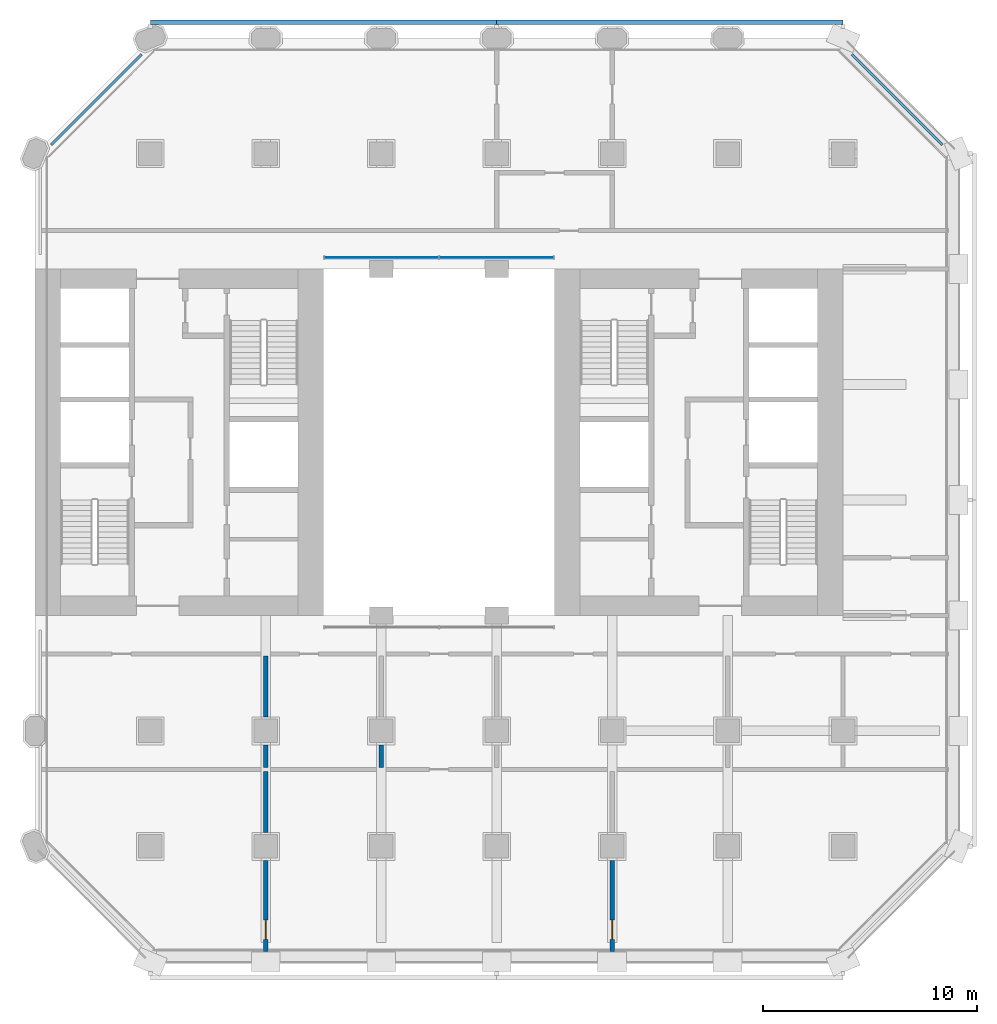
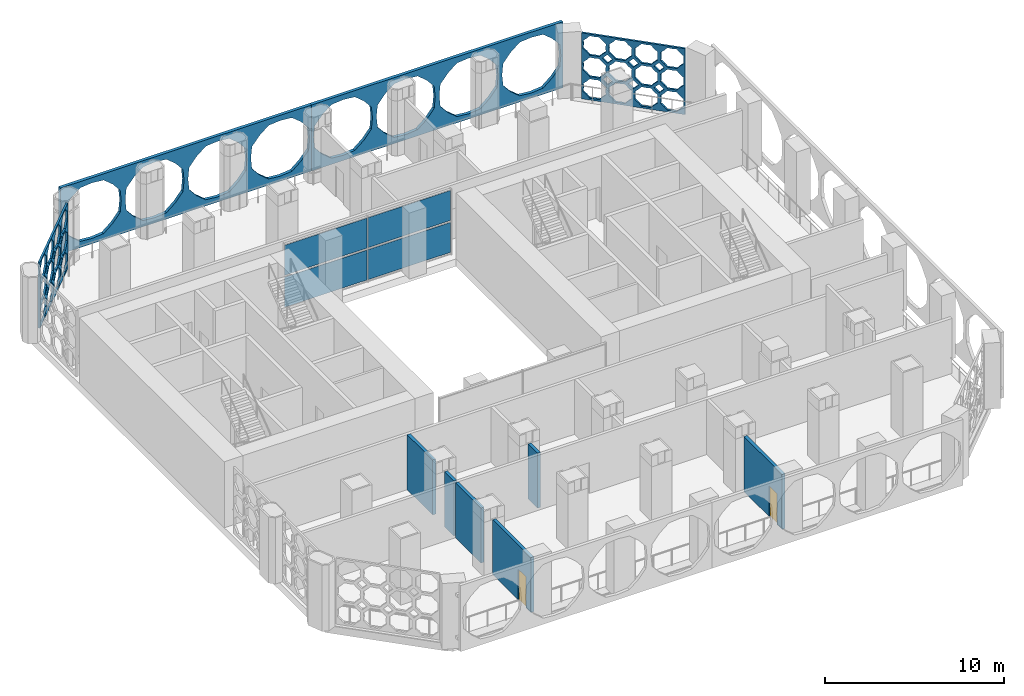
# One storey, part 7 of 14: 8 plates, 6 walls, 2 doors, 2 openings, 1 element without a shape of its own.
"""IFC4 building model written with IfcOpenShell, lengths in metres."""

from ifc_helpers import new_model, si_unit, direction, frame, frame_2d, origin, origin_2d, place, context, subcontext, project, spatial, polyline, rectangle, outline, extrude, material, layer, layer_set, type_object, element, fill, aggregate, save


model = new_model("IFC4")

# Units and contexts
model_context = context("Model", 3, precision=1e-05, world=origin(), true_north=direction((0.0, 1.0)))
body_context = subcontext(model_context, "Body", "Model", "MODEL_VIEW")
ifc_project = project(units=[si_unit("LENGTHUNIT", "METRE"), si_unit("AREAUNIT", "SQUARE_METRE"), si_unit("VOLUMEUNIT", "CUBIC_METRE"), si_unit("PLANEANGLEUNIT", "RADIAN"), si_unit("MASSUNIT", "GRAM", prefix="KILO")], contexts=[model_context])

# Site, building, storey
site_placement = place(None, origin())
site = spatial("IfcSite", under=ifc_project, at=site_placement, CompositionType="ELEMENT")
building_placement = place(site_placement, origin())
building = spatial("IfcBuilding", under=site, at=building_placement, Name="Tabaq Tower and Sports Hall", CompositionType="ELEMENT")
storey_placement = place(building_placement, frame((0.0, 0.0, 60.199951171875)))
storey = spatial("IfcBuildingStorey", under=building, at=storey_placement, Name="L13", CompositionType="ELEMENT", Elevation=60.199951171875)

# Curtain wall, plates
ifc_material_1 = material(Name="Aluminium alloy 6063-T6 framed glazing", Category="aluminium")
curtain_wall_type = type_object("IfcCurtainWallType", Name="CW1 curtain wall", PredefinedType="USERDEFINED", material=ifc_material_1)
curtain_wall_placement = place(storey_placement, origin())
curtain_wall = element("IfcCurtainWall", 1, at=curtain_wall_placement, inside=storey, type_object=curtain_wall_type, Name="Atrium glazing L13 N", ObjectType="ATRIUM ENCLOSURE", PredefinedType="USERDEFINED")
ifc_material_2 = material(Name="Clear low-emissivity glass 28 mm", Category="glass")
ifc_layer_1 = layer(ifc_material_2, 0.028076171875)
ifc_layer_set_1 = layer_set([ifc_layer_1], Name="CW1 glass panel 28")
plate_type_1 = type_object("IfcPlateType", Name="CW1 glass panel 28", PredefinedType="CURTAIN_PANEL", material=ifc_layer_set_1)
plate_1_placement = place(storey_placement, frame((21.614990234375, 32.949951171875, 0.14013671875), z_axis=(0.0, 0.0, 1.0), x_axis=(1.0, 0.0, 0.0)))
plate_1 = element("IfcPlate", 2, at=plate_1_placement, type_object=plate_type_1, Name="CW1 panel 1.1", PredefinedType="CURTAIN_PANEL", context=body_context, shape_type="SweptSolid", body=[
    extrude(rectangle(XDim=5.31005859375, YDim=0.028076171875, at=origin_2d()), origin(), (0.0, 0.0, 1.0), 2.0400390625),
])
plate_2_placement = place(storey_placement, frame((21.614990234375, 32.949951171875, 2.320068359375), z_axis=(0.0, 0.0, 1.0), x_axis=(1.0, 0.0, 0.0)))
plate_2 = element("IfcPlate", 3, at=plate_2_placement, type_object=plate_type_1, Name="CW1 panel 1.2", PredefinedType="CURTAIN_PANEL", context=body_context, shape_type="SweptSolid", body=[
    extrude(rectangle(XDim=5.31005859375, YDim=0.028076171875, at=origin_2d()), origin(), (0.0, 0.0, 1.0), 2.0400390625),
])
plate_3_placement = place(storey_placement, frame((26.985107421875, 32.949951171875, 0.14013671875), z_axis=(0.0, 0.0, 1.0), x_axis=(1.0, 0.0, 0.0)))
plate_3 = element("IfcPlate", 4, at=plate_3_placement, type_object=plate_type_1, Name="CW1 panel 2.1", PredefinedType="CURTAIN_PANEL", context=body_context, shape_type="SweptSolid", body=[
    extrude(rectangle(XDim=5.31005859375, YDim=0.028076171875, at=origin_2d()), origin(), (0.0, 0.0, 1.0), 2.0400390625),
])
plate_4_placement = place(storey_placement, frame((26.985107421875, 32.949951171875, 2.320068359375), z_axis=(0.0, 0.0, 1.0), x_axis=(1.0, 0.0, 0.0)))
plate_4 = element("IfcPlate", 5, at=plate_4_placement, type_object=plate_type_1, Name="CW1 panel 2.2", PredefinedType="CURTAIN_PANEL", context=body_context, shape_type="SweptSolid", body=[
    extrude(rectangle(XDim=5.31005859375, YDim=0.028076171875, at=origin_2d()), origin(), (0.0, 0.0, 1.0), 2.0400390625),
])
aggregate(curtain_wall, [plate_1, plate_2, plate_3, plate_4])

# Plates
ifc_material_3 = material(Name="White precast concrete C60/75 pierced screen", Category="concrete")
ifc_layer_2 = layer(ifc_material_3, 0.199951171875)
ifc_layer_set_2 = layer_set([ifc_layer_2], Name="White precast concrete C60/75 girih screen 200")
plate_type_2 = type_object("IfcPlateType", Name="White precast concrete C60/75 girih screen 200", PredefinedType="USERDEFINED", material=ifc_layer_set_2)
plate_5_placement = place(storey_placement, frame((43.199951171875, 43.949951171875, 0.0), z_axis=(0.0, 0.0, 1.0), x_axis=(-1.0, 0.0, 0.0)))
element("IfcPlate", 6, at=plate_5_placement, inside=storey, type_object=plate_type_2, Name="Girih screen L13 N", ObjectType="SCREEN", PredefinedType="USERDEFINED", context=body_context, shape_type="SweptSolid", body=[
    extrude(outline(polyline([(0.0, 0.0), (16.199951171875, 0.0), (16.199951171875, 4.5), (0.0, 4.5), (0.0, 0.0)]), holes=[polyline([(3.85107421875, 3.00634765625), (3.36669921875, 3.591552734375), (2.78125, 4.075927734375), (2.02490234375, 4.1474609375), (1.2685546875, 4.075927734375), (0.683349609375, 3.591552734375), (0.198974609375, 3.00634765625), (0.127685546875, 2.25), (0.198974609375, 1.49365234375), (0.683349609375, 0.908447265625), (1.2685546875, 0.424072265625), (2.02490234375, 0.352783203125), (2.78125, 0.424072265625), (3.36669921875, 0.908447265625), (3.85107421875, 1.49365234375), (3.92236328125, 2.25), (3.85107421875, 3.00634765625)]), polyline([(7.90087890625, 3.00634765625), (7.41650390625, 3.591552734375), (6.831298828125, 4.075927734375), (6.074951171875, 4.1474609375), (5.318603515625, 4.075927734375), (4.7333984375, 3.591552734375), (4.2490234375, 3.00634765625), (4.177734375, 2.25), (4.2490234375, 1.49365234375), (4.7333984375, 0.908447265625), (5.318603515625, 0.424072265625), (6.074951171875, 0.352783203125), (6.831298828125, 0.424072265625), (7.41650390625, 0.908447265625), (7.90087890625, 1.49365234375), (7.972412109375, 2.25), (7.90087890625, 3.00634765625)]), polyline([(11.950927734375, 3.00634765625), (11.466552734375, 3.591552734375), (10.88134765625, 4.075927734375), (10.125, 4.1474609375), (9.36865234375, 4.075927734375), (8.783447265625, 3.591552734375), (8.299072265625, 3.00634765625), (8.2275390625, 2.25), (8.299072265625, 1.49365234375), (8.783447265625, 0.908447265625), (9.36865234375, 0.424072265625), (10.125, 0.352783203125), (10.88134765625, 0.424072265625), (11.466552734375, 0.908447265625), (11.950927734375, 1.49365234375), (12.0224609375, 2.25), (11.950927734375, 3.00634765625)]), polyline([(16.0009765625, 3.00634765625), (15.5166015625, 3.591552734375), (14.931396484375, 4.075927734375), (14.175048828125, 4.1474609375), (13.418701171875, 4.075927734375), (12.83349609375, 3.591552734375), (12.34912109375, 3.00634765625), (12.277587890625, 2.25), (12.34912109375, 1.49365234375), (12.83349609375, 0.908447265625), (13.418701171875, 0.424072265625), (14.175048828125, 0.352783203125), (14.931396484375, 0.424072265625), (15.5166015625, 0.908447265625), (16.0009765625, 1.49365234375), (16.072265625, 2.25), (16.0009765625, 3.00634765625)])]), frame((0.0, 0.10009765625, 0.0), z_axis=(0.0, -1.0, 0.0), x_axis=(1.0, 0.0, 0.0)), (0.0, 0.0, 1.0), 0.199951171875),
])
plate_6_placement = place(storey_placement, frame((27.0, 43.949951171875, 0.0), z_axis=(0.0, 0.0, 1.0), x_axis=(-1.0, 0.0, 0.0)))
element("IfcPlate", 7, at=plate_6_placement, inside=storey, type_object=plate_type_2, Name="Girih screen L13 N", ObjectType="SCREEN", PredefinedType="USERDEFINED", context=body_context, shape_type="SweptSolid", body=[
    extrude(outline(polyline([(0.0, 0.0), (16.199951171875, 0.0), (16.199951171875, 4.5), (0.0, 4.5), (0.0, 0.0)]), holes=[polyline([(3.85107421875, 3.00634765625), (3.36669921875, 3.591552734375), (2.78125, 4.075927734375), (2.02490234375, 4.1474609375), (1.2685546875, 4.075927734375), (0.683349609375, 3.591552734375), (0.198974609375, 3.00634765625), (0.127685546875, 2.25), (0.198974609375, 1.49365234375), (0.683349609375, 0.908447265625), (1.2685546875, 0.424072265625), (2.02490234375, 0.352783203125), (2.78125, 0.424072265625), (3.36669921875, 0.908447265625), (3.85107421875, 1.49365234375), (3.92236328125, 2.25), (3.85107421875, 3.00634765625)]), polyline([(7.90087890625, 3.00634765625), (7.41650390625, 3.591552734375), (6.831298828125, 4.075927734375), (6.074951171875, 4.1474609375), (5.318603515625, 4.075927734375), (4.7333984375, 3.591552734375), (4.2490234375, 3.00634765625), (4.177734375, 2.25), (4.2490234375, 1.49365234375), (4.7333984375, 0.908447265625), (5.318603515625, 0.424072265625), (6.074951171875, 0.352783203125), (6.831298828125, 0.424072265625), (7.41650390625, 0.908447265625), (7.90087890625, 1.49365234375), (7.972412109375, 2.25), (7.90087890625, 3.00634765625)]), polyline([(11.950927734375, 3.00634765625), (11.466552734375, 3.591552734375), (10.88134765625, 4.075927734375), (10.125, 4.1474609375), (9.36865234375, 4.075927734375), (8.783447265625, 3.591552734375), (8.299072265625, 3.00634765625), (8.2275390625, 2.25), (8.299072265625, 1.49365234375), (8.783447265625, 0.908447265625), (9.36865234375, 0.424072265625), (10.125, 0.352783203125), (10.88134765625, 0.424072265625), (11.466552734375, 0.908447265625), (11.950927734375, 1.49365234375), (12.0224609375, 2.25), (11.950927734375, 3.00634765625)]), polyline([(16.0009765625, 3.00634765625), (15.5166015625, 3.591552734375), (14.931396484375, 4.075927734375), (14.175048828125, 4.1474609375), (13.418701171875, 4.075927734375), (12.83349609375, 3.591552734375), (12.34912109375, 3.00634765625), (12.277587890625, 2.25), (12.34912109375, 1.49365234375), (12.83349609375, 0.908447265625), (13.418701171875, 0.424072265625), (14.175048828125, 0.352783203125), (14.931396484375, 0.424072265625), (15.5166015625, 0.908447265625), (16.0009765625, 1.49365234375), (16.072265625, 2.25), (16.0009765625, 3.00634765625)])]), frame((0.0, 0.10009765625, 0.0), z_axis=(0.0, -1.0, 0.0), x_axis=(1.0, 0.0, 0.0)), (0.0, 0.0, 1.0), 0.199951171875),
])
ifc_material_4 = material(Name="White precast concrete C60/75 pierced screen", Category="concrete")
ifc_layer_3 = layer(ifc_material_4, 0.1201171875)
ifc_layer_set_3 = layer_set([ifc_layer_3], Name="White precast concrete C60/75 screen 120")
plate_type_3 = type_object("IfcPlateType", Name="White precast concrete C60/75 screen 120", PredefinedType="USERDEFINED", material=ifc_layer_set_3)
plate_7_placement = place(storey_placement, frame((47.83984375, 38.20654296875, 0.0), z_axis=(0.0, 0.0, 1.0), x_axis=(-0.707086390836, 0.707127170949, 0.0)))
element("IfcPlate", 8, at=plate_7_placement, inside=storey, type_object=plate_type_3, Name="Pierced screen L13 NE", ObjectType="SCREEN", PredefinedType="USERDEFINED", context=body_context, shape_type="SweptSolid", body=[
    extrude(outline(polyline([(0.0, 0.0), (5.98681640625, 0.0), (5.98681640625, 4.5), (0.0, 4.5), (0.0, 0.0)]), holes=[polyline([(1.40966796875, 1.057373046875), (1.203857421875, 1.23876953125), (1.022216796875, 1.444580078125), (0.748291015625, 1.427490234375), (0.474365234375, 1.444580078125), (0.29296875, 1.23876953125), (0.087158203125, 1.057373046875), (0.104248046875, 0.783447265625), (0.087158203125, 0.509521484375), (0.29296875, 0.327880859375), (0.474365234375, 0.1220703125), (0.748291015625, 0.13916015625), (1.022216796875, 0.1220703125), (1.203857421875, 0.327880859375), (1.40966796875, 0.509521484375), (1.392578125, 0.783447265625), (1.40966796875, 1.057373046875)]), polyline([(1.40966796875, 2.52392578125), (1.203857421875, 2.70556640625), (1.022216796875, 2.911376953125), (0.748291015625, 2.894287109375), (0.474365234375, 2.911376953125), (0.29296875, 2.70556640625), (0.087158203125, 2.52392578125), (0.104248046875, 2.25), (0.087158203125, 1.97607421875), (0.29296875, 1.794677734375), (0.474365234375, 1.5888671875), (0.748291015625, 1.60595703125), (1.022216796875, 1.5888671875), (1.203857421875, 1.794677734375), (1.40966796875, 1.97607421875), (1.392578125, 2.25), (1.40966796875, 2.52392578125)]), polyline([(1.40966796875, 3.99072265625), (1.203857421875, 4.172119140625), (1.022216796875, 4.3779296875), (0.748291015625, 4.36083984375), (0.474365234375, 4.3779296875), (0.29296875, 4.172119140625), (0.087158203125, 3.99072265625), (0.104248046875, 3.716796875), (0.087158203125, 3.44287109375), (0.29296875, 3.26123046875), (0.474365234375, 3.055419921875), (0.748291015625, 3.072509765625), (1.022216796875, 3.055419921875), (1.203857421875, 3.26123046875), (1.40966796875, 3.44287109375), (1.392578125, 3.716796875), (1.40966796875, 3.99072265625)]), polyline([(2.90625, 1.057373046875), (2.700439453125, 1.23876953125), (2.51904296875, 1.444580078125), (2.2451171875, 1.427490234375), (1.97119140625, 1.444580078125), (1.78955078125, 1.23876953125), (1.583740234375, 1.057373046875), (1.600830078125, 0.783447265625), (1.583740234375, 0.509521484375), (1.78955078125, 0.327880859375), (1.97119140625, 0.1220703125), (2.2451171875, 0.13916015625), (2.51904296875, 0.1220703125), (2.700439453125, 0.327880859375), (2.90625, 0.509521484375), (2.88916015625, 0.783447265625), (2.90625, 1.057373046875)]), polyline([(2.90625, 2.52392578125), (2.700439453125, 2.70556640625), (2.51904296875, 2.911376953125), (2.2451171875, 2.894287109375), (1.97119140625, 2.911376953125), (1.78955078125, 2.70556640625), (1.583740234375, 2.52392578125), (1.600830078125, 2.25), (1.583740234375, 1.97607421875), (1.78955078125, 1.794677734375), (1.97119140625, 1.5888671875), (2.2451171875, 1.60595703125), (2.51904296875, 1.5888671875), (2.700439453125, 1.794677734375), (2.90625, 1.97607421875), (2.88916015625, 2.25), (2.90625, 2.52392578125)]), polyline([(2.90625, 3.99072265625), (2.700439453125, 4.172119140625), (2.51904296875, 4.3779296875), (2.2451171875, 4.36083984375), (1.97119140625, 4.3779296875), (1.78955078125, 4.172119140625), (1.583740234375, 3.99072265625), (1.600830078125, 3.716796875), (1.583740234375, 3.44287109375), (1.78955078125, 3.26123046875), (1.97119140625, 3.055419921875), (2.2451171875, 3.072509765625), (2.51904296875, 3.055419921875), (2.700439453125, 3.26123046875), (2.90625, 3.44287109375), (2.88916015625, 3.716796875), (2.90625, 3.99072265625)]), polyline([(4.403076171875, 1.057373046875), (4.197265625, 1.23876953125), (4.015625, 1.444580078125), (3.74169921875, 1.427490234375), (3.4677734375, 1.444580078125), (3.2861328125, 1.23876953125), (3.08056640625, 1.057373046875), (3.09765625, 0.783447265625), (3.08056640625, 0.509521484375), (3.2861328125, 0.327880859375), (3.4677734375, 0.1220703125), (3.74169921875, 0.13916015625), (4.015625, 0.1220703125), (4.197265625, 0.327880859375), (4.403076171875, 0.509521484375), (4.385986328125, 0.783447265625), (4.403076171875, 1.057373046875)]), polyline([(4.403076171875, 2.52392578125), (4.197265625, 2.70556640625), (4.015625, 2.911376953125), (3.74169921875, 2.894287109375), (3.4677734375, 2.911376953125), (3.2861328125, 2.70556640625), (3.08056640625, 2.52392578125), (3.09765625, 2.25), (3.08056640625, 1.97607421875), (3.2861328125, 1.794677734375), (3.4677734375, 1.5888671875), (3.74169921875, 1.60595703125), (4.015625, 1.5888671875), (4.197265625, 1.794677734375), (4.403076171875, 1.97607421875), (4.385986328125, 2.25), (4.403076171875, 2.52392578125)]), polyline([(4.403076171875, 3.99072265625), (4.197265625, 4.172119140625), (4.015625, 4.3779296875), (3.74169921875, 4.36083984375), (3.4677734375, 4.3779296875), (3.2861328125, 4.172119140625), (3.08056640625, 3.99072265625), (3.09765625, 3.716796875), (3.08056640625, 3.44287109375), (3.2861328125, 3.26123046875), (3.4677734375, 3.055419921875), (3.74169921875, 3.072509765625), (4.015625, 3.055419921875), (4.197265625, 3.26123046875), (4.403076171875, 3.44287109375), (4.385986328125, 3.716796875), (4.403076171875, 3.99072265625)]), polyline([(5.899658203125, 1.057373046875), (5.69384765625, 1.23876953125), (5.51220703125, 1.444580078125), (5.238525390625, 1.427490234375), (4.964599609375, 1.444580078125), (4.782958984375, 1.23876953125), (4.5771484375, 1.057373046875), (4.59423828125, 0.783447265625), (4.5771484375, 0.509521484375), (4.782958984375, 0.327880859375), (4.964599609375, 0.1220703125), (5.238525390625, 0.13916015625), (5.51220703125, 0.1220703125), (5.69384765625, 0.327880859375), (5.899658203125, 0.509521484375), (5.882568359375, 0.783447265625), (5.899658203125, 1.057373046875)]), polyline([(5.899658203125, 2.52392578125), (5.69384765625, 2.70556640625), (5.51220703125, 2.911376953125), (5.238525390625, 2.894287109375), (4.964599609375, 2.911376953125), (4.782958984375, 2.70556640625), (4.5771484375, 2.52392578125), (4.59423828125, 2.25), (4.5771484375, 1.97607421875), (4.782958984375, 1.794677734375), (4.964599609375, 1.5888671875), (5.238525390625, 1.60595703125), (5.51220703125, 1.5888671875), (5.69384765625, 1.794677734375), (5.899658203125, 1.97607421875), (5.882568359375, 2.25), (5.899658203125, 2.52392578125)]), polyline([(5.899658203125, 3.99072265625), (5.69384765625, 4.172119140625), (5.51220703125, 4.3779296875), (5.238525390625, 4.36083984375), (4.964599609375, 4.3779296875), (4.782958984375, 4.172119140625), (4.5771484375, 3.99072265625), (4.59423828125, 3.716796875), (4.5771484375, 3.44287109375), (4.782958984375, 3.26123046875), (4.964599609375, 3.055419921875), (5.238525390625, 3.072509765625), (5.51220703125, 3.055419921875), (5.69384765625, 3.26123046875), (5.899658203125, 3.44287109375), (5.882568359375, 3.716796875), (5.899658203125, 3.99072265625)]), polyline([(1.7900390625, 1.5166015625), (1.49658203125, 1.81005859375), (1.203369140625, 1.5166015625), (1.49658203125, 1.223388671875), (1.7900390625, 1.5166015625)]), polyline([(1.7900390625, 2.9833984375), (1.49658203125, 3.276611328125), (1.203369140625, 2.9833984375), (1.49658203125, 2.68994140625), (1.7900390625, 2.9833984375)]), polyline([(3.28662109375, 1.5166015625), (2.993408203125, 1.81005859375), (2.699951171875, 1.5166015625), (2.993408203125, 1.223388671875), (3.28662109375, 1.5166015625)]), polyline([(3.28662109375, 2.9833984375), (2.993408203125, 3.276611328125), (2.699951171875, 2.9833984375), (2.993408203125, 2.68994140625), (3.28662109375, 2.9833984375)]), polyline([(4.783447265625, 1.5166015625), (4.489990234375, 1.81005859375), (4.19677734375, 1.5166015625), (4.489990234375, 1.223388671875), (4.783447265625, 1.5166015625)]), polyline([(4.783447265625, 2.9833984375), (4.489990234375, 3.276611328125), (4.19677734375, 2.9833984375), (4.489990234375, 2.68994140625), (4.783447265625, 2.9833984375)])]), frame((0.0, 0.06005859375, 0.0), z_axis=(0.0, -1.0, 0.0), x_axis=(1.0, 0.0, 0.0)), (0.0, 0.0, 1.0), 0.1201171875),
])
plate_8_placement = place(storey_placement, frame((10.393310546875, 42.43994140625, 0.0), z_axis=(0.0, 0.0, 1.0), x_axis=(-0.707086390836, -0.707127170949, 0.0)))
element("IfcPlate", 9, at=plate_8_placement, inside=storey, type_object=plate_type_3, Name="Pierced screen L13 NW", ObjectType="SCREEN", PredefinedType="USERDEFINED", context=body_context, shape_type="SweptSolid", body=[
    extrude(outline(polyline([(0.0, 0.0), (5.98681640625, 0.0), (5.98681640625, 4.5), (0.0, 4.5), (0.0, 0.0)]), holes=[polyline([(1.40966796875, 1.057373046875), (1.203857421875, 1.23876953125), (1.022216796875, 1.444580078125), (0.748291015625, 1.427490234375), (0.474365234375, 1.444580078125), (0.29296875, 1.23876953125), (0.087158203125, 1.057373046875), (0.104248046875, 0.783447265625), (0.087158203125, 0.509521484375), (0.29296875, 0.327880859375), (0.474365234375, 0.1220703125), (0.748291015625, 0.13916015625), (1.022216796875, 0.1220703125), (1.203857421875, 0.327880859375), (1.40966796875, 0.509521484375), (1.392578125, 0.783447265625), (1.40966796875, 1.057373046875)]), polyline([(1.40966796875, 2.52392578125), (1.203857421875, 2.70556640625), (1.022216796875, 2.911376953125), (0.748291015625, 2.894287109375), (0.474365234375, 2.911376953125), (0.29296875, 2.70556640625), (0.087158203125, 2.52392578125), (0.104248046875, 2.25), (0.087158203125, 1.97607421875), (0.29296875, 1.794677734375), (0.474365234375, 1.5888671875), (0.748291015625, 1.60595703125), (1.022216796875, 1.5888671875), (1.203857421875, 1.794677734375), (1.40966796875, 1.97607421875), (1.392578125, 2.25), (1.40966796875, 2.52392578125)]), polyline([(1.40966796875, 3.99072265625), (1.203857421875, 4.172119140625), (1.022216796875, 4.3779296875), (0.748291015625, 4.36083984375), (0.474365234375, 4.3779296875), (0.29296875, 4.172119140625), (0.087158203125, 3.99072265625), (0.104248046875, 3.716796875), (0.087158203125, 3.44287109375), (0.29296875, 3.26123046875), (0.474365234375, 3.055419921875), (0.748291015625, 3.072509765625), (1.022216796875, 3.055419921875), (1.203857421875, 3.26123046875), (1.40966796875, 3.44287109375), (1.392578125, 3.716796875), (1.40966796875, 3.99072265625)]), polyline([(2.90625, 1.057373046875), (2.700439453125, 1.23876953125), (2.51904296875, 1.444580078125), (2.2451171875, 1.427490234375), (1.97119140625, 1.444580078125), (1.78955078125, 1.23876953125), (1.583740234375, 1.057373046875), (1.600830078125, 0.783447265625), (1.583740234375, 0.509521484375), (1.78955078125, 0.327880859375), (1.97119140625, 0.1220703125), (2.2451171875, 0.13916015625), (2.51904296875, 0.1220703125), (2.700439453125, 0.327880859375), (2.90625, 0.509521484375), (2.88916015625, 0.783447265625), (2.90625, 1.057373046875)]), polyline([(2.90625, 2.52392578125), (2.700439453125, 2.70556640625), (2.51904296875, 2.911376953125), (2.2451171875, 2.894287109375), (1.97119140625, 2.911376953125), (1.78955078125, 2.70556640625), (1.583740234375, 2.52392578125), (1.600830078125, 2.25), (1.583740234375, 1.97607421875), (1.78955078125, 1.794677734375), (1.97119140625, 1.5888671875), (2.2451171875, 1.60595703125), (2.51904296875, 1.5888671875), (2.700439453125, 1.794677734375), (2.90625, 1.97607421875), (2.88916015625, 2.25), (2.90625, 2.52392578125)]), polyline([(2.90625, 3.99072265625), (2.700439453125, 4.172119140625), (2.51904296875, 4.3779296875), (2.2451171875, 4.36083984375), (1.97119140625, 4.3779296875), (1.78955078125, 4.172119140625), (1.583740234375, 3.99072265625), (1.600830078125, 3.716796875), (1.583740234375, 3.44287109375), (1.78955078125, 3.26123046875), (1.97119140625, 3.055419921875), (2.2451171875, 3.072509765625), (2.51904296875, 3.055419921875), (2.700439453125, 3.26123046875), (2.90625, 3.44287109375), (2.88916015625, 3.716796875), (2.90625, 3.99072265625)]), polyline([(4.403076171875, 1.057373046875), (4.197265625, 1.23876953125), (4.015625, 1.444580078125), (3.74169921875, 1.427490234375), (3.4677734375, 1.444580078125), (3.2861328125, 1.23876953125), (3.08056640625, 1.057373046875), (3.09765625, 0.783447265625), (3.08056640625, 0.509521484375), (3.2861328125, 0.327880859375), (3.4677734375, 0.1220703125), (3.74169921875, 0.13916015625), (4.015625, 0.1220703125), (4.197265625, 0.327880859375), (4.403076171875, 0.509521484375), (4.385986328125, 0.783447265625), (4.403076171875, 1.057373046875)]), polyline([(4.403076171875, 2.52392578125), (4.197265625, 2.70556640625), (4.015625, 2.911376953125), (3.74169921875, 2.894287109375), (3.4677734375, 2.911376953125), (3.2861328125, 2.70556640625), (3.08056640625, 2.52392578125), (3.09765625, 2.25), (3.08056640625, 1.97607421875), (3.2861328125, 1.794677734375), (3.4677734375, 1.5888671875), (3.74169921875, 1.60595703125), (4.015625, 1.5888671875), (4.197265625, 1.794677734375), (4.403076171875, 1.97607421875), (4.385986328125, 2.25), (4.403076171875, 2.52392578125)]), polyline([(4.403076171875, 3.99072265625), (4.197265625, 4.172119140625), (4.015625, 4.3779296875), (3.74169921875, 4.36083984375), (3.4677734375, 4.3779296875), (3.2861328125, 4.172119140625), (3.08056640625, 3.99072265625), (3.09765625, 3.716796875), (3.08056640625, 3.44287109375), (3.2861328125, 3.26123046875), (3.4677734375, 3.055419921875), (3.74169921875, 3.072509765625), (4.015625, 3.055419921875), (4.197265625, 3.26123046875), (4.403076171875, 3.44287109375), (4.385986328125, 3.716796875), (4.403076171875, 3.99072265625)]), polyline([(5.899658203125, 1.057373046875), (5.69384765625, 1.23876953125), (5.51220703125, 1.444580078125), (5.238525390625, 1.427490234375), (4.964599609375, 1.444580078125), (4.782958984375, 1.23876953125), (4.5771484375, 1.057373046875), (4.59423828125, 0.783447265625), (4.5771484375, 0.509521484375), (4.782958984375, 0.327880859375), (4.964599609375, 0.1220703125), (5.238525390625, 0.13916015625), (5.51220703125, 0.1220703125), (5.69384765625, 0.327880859375), (5.899658203125, 0.509521484375), (5.882568359375, 0.783447265625), (5.899658203125, 1.057373046875)]), polyline([(5.899658203125, 2.52392578125), (5.69384765625, 2.70556640625), (5.51220703125, 2.911376953125), (5.238525390625, 2.894287109375), (4.964599609375, 2.911376953125), (4.782958984375, 2.70556640625), (4.5771484375, 2.52392578125), (4.59423828125, 2.25), (4.5771484375, 1.97607421875), (4.782958984375, 1.794677734375), (4.964599609375, 1.5888671875), (5.238525390625, 1.60595703125), (5.51220703125, 1.5888671875), (5.69384765625, 1.794677734375), (5.899658203125, 1.97607421875), (5.882568359375, 2.25), (5.899658203125, 2.52392578125)]), polyline([(5.899658203125, 3.99072265625), (5.69384765625, 4.172119140625), (5.51220703125, 4.3779296875), (5.238525390625, 4.36083984375), (4.964599609375, 4.3779296875), (4.782958984375, 4.172119140625), (4.5771484375, 3.99072265625), (4.59423828125, 3.716796875), (4.5771484375, 3.44287109375), (4.782958984375, 3.26123046875), (4.964599609375, 3.055419921875), (5.238525390625, 3.072509765625), (5.51220703125, 3.055419921875), (5.69384765625, 3.26123046875), (5.899658203125, 3.44287109375), (5.882568359375, 3.716796875), (5.899658203125, 3.99072265625)]), polyline([(1.7900390625, 1.5166015625), (1.49658203125, 1.81005859375), (1.203369140625, 1.5166015625), (1.49658203125, 1.223388671875), (1.7900390625, 1.5166015625)]), polyline([(1.7900390625, 2.9833984375), (1.49658203125, 3.276611328125), (1.203369140625, 2.9833984375), (1.49658203125, 2.68994140625), (1.7900390625, 2.9833984375)]), polyline([(3.28662109375, 1.5166015625), (2.993408203125, 1.81005859375), (2.699951171875, 1.5166015625), (2.993408203125, 1.223388671875), (3.28662109375, 1.5166015625)]), polyline([(3.28662109375, 2.9833984375), (2.993408203125, 3.276611328125), (2.699951171875, 2.9833984375), (2.993408203125, 2.68994140625), (3.28662109375, 2.9833984375)]), polyline([(4.783447265625, 1.5166015625), (4.489990234375, 1.81005859375), (4.19677734375, 1.5166015625), (4.489990234375, 1.223388671875), (4.783447265625, 1.5166015625)]), polyline([(4.783447265625, 2.9833984375), (4.489990234375, 3.276611328125), (4.19677734375, 2.9833984375), (4.489990234375, 2.68994140625), (4.783447265625, 2.9833984375)])]), frame((0.0, 0.06005859375, 0.0), z_axis=(0.0, -1.0, 0.0), x_axis=(1.0, 0.0, 0.0)), (0.0, 0.0, 1.0), 0.1201171875),
])

# Wall, opening, door
ifc_material_5 = material(Name="Blockwork", Category="masonry")
ifc_layer_4 = layer(ifc_material_5, 0.199951171875)
ifc_layer_set_4 = layer_set([ifc_layer_4], Name="Fire compartment wall 200 Blockwork")
wall_type = type_object("IfcWallType", Name="Fire compartment wall 200 Blockwork", PredefinedType="PARTITIONING", material=ifc_layer_set_4)
wall_1_placement = place(storey_placement, frame((16.199951171875, 0.47998046875, 0.0), z_axis=(0.0, 0.0, 1.0), x_axis=(0.0, 1.0, 0.0)))
wall_1 = element("IfcWall", 10, at=wall_1_placement, inside=storey, type_object=wall_type, Name="Compartment wall L13", PredefinedType="PARTITIONING", context=body_context, shape_type="SweptSolid", body=[
    extrude(rectangle(XDim=4.269287109375, YDim=0.199951171875, at=frame_2d((2.134765625, 0.0))), origin(), (0.0, 0.0, 1.0), 3.75),
])
opening_1_placement = place(wall_1_placement, frame((0.570068359375, 0.0, 0.0)))
opening_1 = element("IfcOpeningElement", 11, at=opening_1_placement, cuts=wall_1, Name="Opening L13-008", PredefinedType="OPENING", context=body_context, shape_type="SweptSolid", body=[
    extrude(rectangle(XDim=0.89990234375, YDim=2.10009765625, at=frame_2d((0.449951171875, 1.050048828125))), frame((0.0, 0.10009765625, 0.0), z_axis=(0.0, -1.0, 0.0), x_axis=(1.0, 0.0, 0.0)), (0.0, 0.0, 1.0), 0.199951171875),
])
ifc_material_6 = material(Name="Steel fire door", Category="steel")
door_type_1 = type_object("IfcDoorType", Name="Refuge holding area door 900 left hand", OperationType="SINGLE_SWING_LEFT", PredefinedType="DOOR", material=ifc_material_6)
door_1_placement = place(opening_1_placement, origin())
door_1 = element("IfcDoor", 12, at=door_1_placement, inside=storey, type_object=door_type_1, Name="Refuge holding area door L13-008", OperationType="SINGLE_SWING_LEFT", OverallHeight=2.10009765625, OverallWidth=0.89990234375, PredefinedType="DOOR", context=body_context, shape_type="SweptSolid", body=[
    extrude(rectangle(XDim=0.89990234375, YDim=2.10009765625, at=frame_2d((0.449951171875, 1.050048828125))), frame((0.0, 0.02490234375, 0.0), z_axis=(0.0, -1.0, 0.0), x_axis=(1.0, 0.0, 0.0)), (0.0, 0.0, 1.0), 0.050048828125),
])
fill(opening_1, door_1)

# Wall
wall_2_placement = place(storey_placement, frame((16.199951171875, 6.05078125, 0.0), z_axis=(0.0, 0.0, 1.0), x_axis=(0.0, 1.0, 0.0)))
element("IfcWall", 13, at=wall_2_placement, inside=storey, type_object=wall_type, Name="Compartment wall L13", PredefinedType="PARTITIONING", context=body_context, shape_type="SweptSolid", body=[
    extrude(rectangle(XDim=2.84912109375, YDim=0.199951171875, at=frame_2d((1.424560546875, 0.0))), origin(), (0.0, 0.0, 1.0), 3.75),
])

# Wall, opening, door
wall_3_placement = place(storey_placement, frame((32.39990234375, 0.47998046875, 0.0), z_axis=(0.0, 0.0, 1.0), x_axis=(0.0, 1.0, 0.0)))
wall_3 = element("IfcWall", 14, at=wall_3_placement, inside=storey, type_object=wall_type, Name="Compartment wall L13", PredefinedType="PARTITIONING", context=body_context, shape_type="SweptSolid", body=[
    extrude(rectangle(XDim=4.269287109375, YDim=0.199951171875, at=frame_2d((2.134765625, 0.0))), origin(), (0.0, 0.0, 1.0), 3.75),
])
opening_2_placement = place(wall_3_placement, frame((0.570068359375, 0.0, 0.0)))
opening_2 = element("IfcOpeningElement", 15, at=opening_2_placement, cuts=wall_3, Name="Opening L13-009", PredefinedType="OPENING", context=body_context, shape_type="SweptSolid", body=[
    extrude(rectangle(XDim=0.89990234375, YDim=2.10009765625, at=frame_2d((0.449951171875, 1.050048828125))), frame((0.0, 0.10009765625, 0.0), z_axis=(0.0, -1.0, 0.0), x_axis=(1.0, 0.0, 0.0)), (0.0, 0.0, 1.0), 0.199951171875),
])
ifc_material_7 = material(Name="Steel fire door", Category="steel")
door_type_2 = type_object("IfcDoorType", Name="Refuge holding area door 900 right hand", OperationType="SINGLE_SWING_RIGHT", PredefinedType="DOOR", material=ifc_material_7)
door_2_placement = place(opening_2_placement, origin())
door_2 = element("IfcDoor", 16, at=door_2_placement, inside=storey, type_object=door_type_2, Name="Refuge holding area door L13-009", OperationType="SINGLE_SWING_RIGHT", OverallHeight=2.10009765625, OverallWidth=0.89990234375, PredefinedType="DOOR", context=body_context, shape_type="SweptSolid", body=[
    extrude(rectangle(XDim=0.89990234375, YDim=2.10009765625, at=frame_2d((0.449951171875, 1.050048828125))), frame((0.0, 0.02490234375, 0.0), z_axis=(0.0, -1.0, 0.0), x_axis=(1.0, 0.0, 0.0)), (0.0, 0.0, 1.0), 0.050048828125),
])
fill(opening_2, door_2)

# Walls
wall_4_placement = place(storey_placement, frame((16.199951171875, 9.10009765625, 0.0), z_axis=(0.0, 0.0, 1.0), x_axis=(0.0, 1.0, 0.0)))
element("IfcWall", 17, at=wall_4_placement, inside=storey, type_object=wall_type, Name="Compartment wall L13", PredefinedType="PARTITIONING", context=body_context, shape_type="SweptSolid", body=[
    extrude(rectangle(XDim=1.04931640625, YDim=0.199951171875, at=frame_2d((0.524658203125, 0.0))), origin(), (0.0, 0.0, 1.0), 3.75),
])
wall_5_placement = place(storey_placement, frame((16.199951171875, 11.45068359375, 0.0), z_axis=(0.0, 0.0, 1.0), x_axis=(0.0, 1.0, 0.0)))
element("IfcWall", 18, at=wall_5_placement, inside=storey, type_object=wall_type, Name="Compartment wall L13", PredefinedType="PARTITIONING", context=body_context, shape_type="SweptSolid", body=[
    extrude(rectangle(XDim=2.849365234375, YDim=0.199951171875, at=frame_2d((1.4248046875, 0.0))), origin(), (0.0, 0.0, 1.0), 3.75),
])
wall_6_placement = place(storey_placement, frame((21.60009765625, 9.10009765625, 0.0), z_axis=(0.0, 0.0, 1.0), x_axis=(0.0, 1.0, 0.0)))
element("IfcWall", 19, at=wall_6_placement, inside=storey, type_object=wall_type, Name="Compartment wall L13", PredefinedType="PARTITIONING", context=body_context, shape_type="SweptSolid", body=[
    extrude(rectangle(XDim=1.04931640625, YDim=0.199951171875, at=frame_2d((0.524658203125, 0.0))), origin(), (0.0, 0.0, 1.0), 3.75),
])

save(model, "model.ifc")
